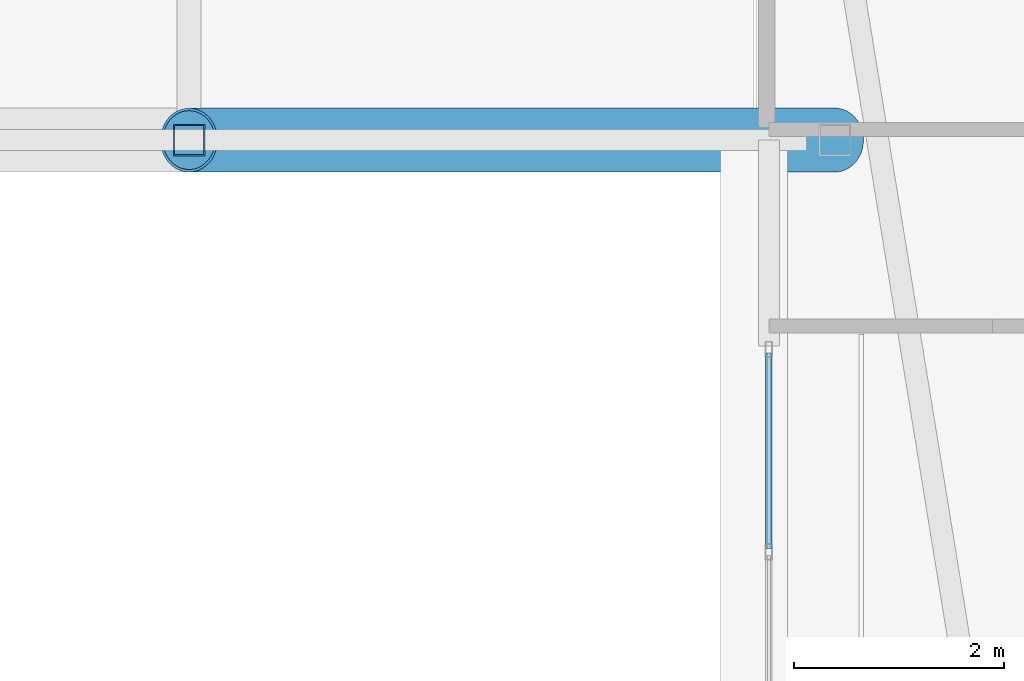
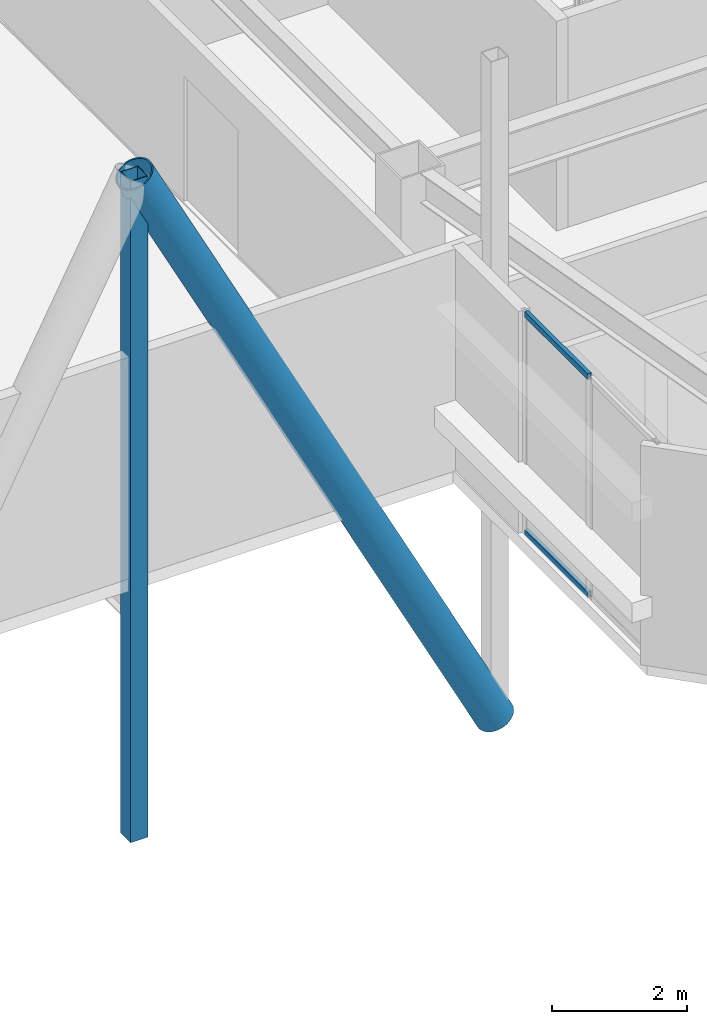
# One storey, part 5 of 53: 4 members, 1 element without a shape of its own.
"""IFC4 building model written with IfcOpenShell, lengths in metres."""

from ifc_helpers import new_model, si_unit, direction, frame, origin, origin_2d, place, context, subcontext, project, spatial, hollow_rectangle, hollow_circle, extrude, material, material_profile, profile_set, type_object, element, aggregate, save


model = new_model("IFC4")

# Units and contexts
model_context = context("Model", 3, precision=1e-05, world=origin(), true_north=direction((0.0, 1.0)))
body_context = subcontext(model_context, "Body", "Model", "MODEL_VIEW")
ifc_project = project(units=[si_unit("LENGTHUNIT", "METRE"), si_unit("AREAUNIT", "SQUARE_METRE"), si_unit("VOLUMEUNIT", "CUBIC_METRE"), si_unit("PLANEANGLEUNIT", "RADIAN"), si_unit("MASSUNIT", "GRAM", prefix="KILO")], contexts=[model_context])

# Site, building, storey
site_placement = place(None, origin())
site = spatial("IfcSite", under=ifc_project, at=site_placement, CompositionType="ELEMENT")
building_placement = place(site_placement, origin())
building = spatial("IfcBuilding", under=site, at=building_placement, Name="Tashvorn Skyway Center", CompositionType="ELEMENT")
storey_placement = place(building_placement, frame((0.0, 0.0, 255.39990234375)))
storey = spatial("IfcBuildingStorey", under=building, at=storey_placement, Name="L69", CompositionType="ELEMENT", Elevation=255.39990234375)

# Curtain wall, members
ifc_material_1 = material(Name="Thermally broken bronze-anodized aluminium 6063-T6", Category="aluminium")
curtain_wall_type = type_object("IfcCurtainWallType", Name="CW-CW-SKY", PredefinedType="NOTDEFINED", material=ifc_material_1)
curtain_wall_placement = place(storey_placement, origin())
curtain_wall = element("IfcCurtainWall", 1, at=curtain_wall_placement, inside=storey, type_object=curtain_wall_type, Name="Tower 1 L69 West Curtain Wall A Glazing Group 1", PredefinedType="NOTDEFINED")
ifc_material_profile_1 = material_profile(ifc_material_1, hollow_rectangle(XDim=0.06494140625, YDim=0.10498046875, WallThickness=0.00390625, at=origin_2d()), Name="ALU-TRAN-65x105")
ifc_profile_set_1 = profile_set([ifc_material_profile_1], Name="Thermally broken bronze-anodized aluminium 6063-T6")
member_type_1 = type_object("IfcMemberType", Name="CWT-CW-SKY", PredefinedType="USERDEFINED", material=ifc_profile_set_1)
member_1_placement = place(storey_placement, frame((26.320068359375, 20.21240234375, 0.03271484375), z_axis=(0.0, 1.0, 0.0), x_axis=(-1.0, 0.0, 0.0)))
member_1 = element("IfcMember", 2, at=member_1_placement, type_object=member_type_1, Name="CW-SKY transom 2.1", ObjectType="TRANSOM", PredefinedType="USERDEFINED", context=body_context, shape_type="SweptSolid", body=[
    extrude(hollow_rectangle(XDim=0.06494140625, YDim=0.10498046875, WallThickness=0.00390625, at=origin_2d()), origin(), (0.0, 0.0, 1.0), 1.862548828125),
])
member_2_placement = place(storey_placement, frame((26.320068359375, 20.21240234375, 3.967529296875), z_axis=(0.0, 1.0, 0.0), x_axis=(-1.0, 0.0, 0.0)))
member_2 = element("IfcMember", 3, at=member_2_placement, type_object=member_type_1, Name="CW-SKY transom 2.2", ObjectType="TRANSOM", PredefinedType="USERDEFINED", context=body_context, shape_type="SweptSolid", body=[
    extrude(hollow_rectangle(XDim=0.06494140625, YDim=0.10498046875, WallThickness=0.00390625, at=origin_2d()), origin(), (0.0, 0.0, 1.0), 1.862548828125),
])
aggregate(curtain_wall, [member_1, member_2])

# Members
ifc_material_2 = material(Name="Steel ASTM A572 Grade 50", Category="steel")
ifc_material_profile_2 = material_profile(ifc_material_2, hollow_circle(Radius=0.304931640625, WallThickness=0.02490234375, at=origin_2d()), Name="CHS610x25")
ifc_profile_set_2 = profile_set([ifc_material_profile_2], Name="Steel ASTM A572 Grade 50")
member_type_2 = type_object("IfcMemberType", Name="MEM-SP-DIA-610", PredefinedType="BRACE", material=ifc_profile_set_2)
member_3_placement = place(storey_placement, frame((20.800048828125, 24.10009765625, 7.194580078125), z_axis=(0.458506601815, 0.0, -0.888691001469), x_axis=(0.0, 1.0, 0.0)))
element("IfcMember", 4, at=member_3_placement, inside=storey, type_object=member_type_2, Name="Sky-Park Truss 1 Web Diagonal 04", PredefinedType="BRACE", context=body_context, shape_type="SweptSolid", body=[
    extrude(hollow_circle(Radius=0.304931640625, WallThickness=0.02490234375, at=origin_2d()), origin(), (0.0, 0.0, 1.0), 13.412841796875),
])
ifc_material_profile_3 = material_profile(ifc_material_2, hollow_rectangle(XDim=0.300048828125, YDim=0.300048828125, WallThickness=0.012451171875, at=origin_2d()), Name="HSS300x300x12.5")
ifc_profile_set_3 = profile_set([ifc_material_profile_3], Name="Steel ASTM A572 Grade 50")
member_type_3 = type_object("IfcMemberType", Name="MEM-SP-PST-300", PredefinedType="POST", material=ifc_profile_set_3)
member_4_placement = place(storey_placement, frame((20.800048828125, 24.10009765625, -4.725341796875), z_axis=(0.0, 0.0, 1.0), x_axis=(1.0, 0.0, 0.0)))
element("IfcMember", 5, at=member_4_placement, inside=storey, type_object=member_type_3, Name="Sky-Park Truss 1 Vertical Post 04", PredefinedType="POST", context=body_context, shape_type="SweptSolid", body=[
    extrude(hollow_rectangle(XDim=0.300048828125, YDim=0.300048828125, WallThickness=0.012451171875, at=origin_2d()), origin(), (0.0, 0.0, 1.0), 11.919921875),
])

save(model, "model.ifc")
